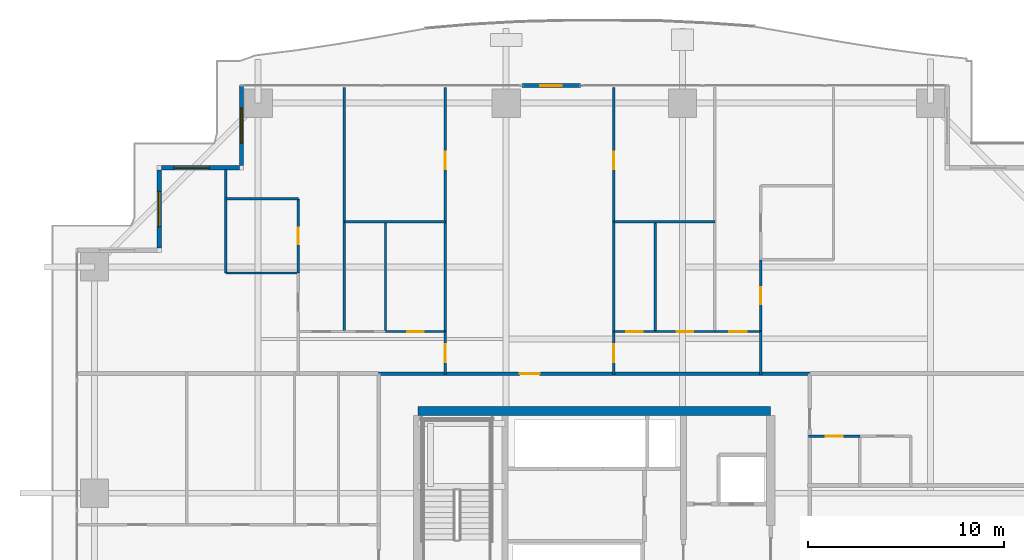
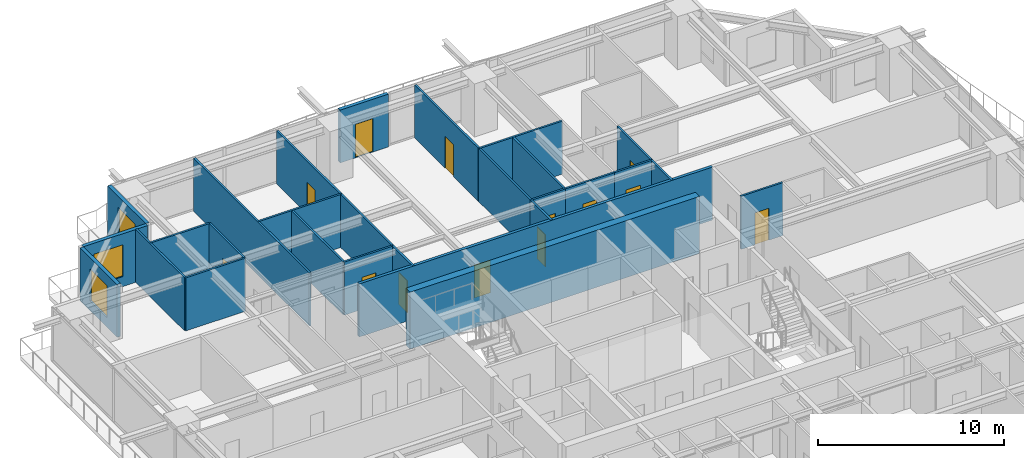
# One storey, part 31 of 38: 28 walls, 13 doors, 3 windows, 16 openings.
"""IFC4 building model written with IfcOpenShell, lengths in metres."""

from ifc_helpers import new_model, si_unit, direction, frame, frame_2d, origin, place, context, subcontext, project, spatial, rectangle, extrude, source, transform, mapped, material, layer, layer_set, type_object, element, fill, save


model = new_model("IFC4")

# Units and contexts
model_context = context("Model", 3, precision=1e-05, world=origin(), true_north=direction((0.0, 1.0)))
body_context = subcontext(model_context, "Body", "Model", "MODEL_VIEW")
ifc_project = project(units=[si_unit("LENGTHUNIT", "METRE"), si_unit("AREAUNIT", "SQUARE_METRE"), si_unit("VOLUMEUNIT", "CUBIC_METRE"), si_unit("PLANEANGLEUNIT", "RADIAN"), si_unit("MASSUNIT", "GRAM", prefix="KILO")], contexts=[model_context])

# Site, building, storey
site_placement = place(None, origin())
site = spatial("IfcSite", under=ifc_project, at=site_placement, CompositionType="ELEMENT")
building_placement = place(site_placement, origin())
building = spatial("IfcBuilding", under=site, at=building_placement, Name="Serunith Strait Residences", CompositionType="ELEMENT")
storey_placement = place(building_placement, frame((0.0, 0.0, 67.949951171875)))
storey = spatial("IfcBuildingStorey", under=building, at=storey_placement, Name="L16", CompositionType="ELEMENT", Elevation=67.949951171875)

# Wall, opening, door
ifc_material_1 = material(Name="Pale-Champagne Aluminium Insulated Panel", Category="aluminium")
ifc_layer_1 = layer(ifc_material_1, 0.219970703125, Name="Pale-Champagne Aluminium Insulated Panel")
ifc_layer_set_1 = layer_set([ifc_layer_1], Name="Pale-Champagne Aluminium Insulated Panel")
wall_type_1 = type_object("IfcWallType", Name="EW-ALUM-220", PredefinedType="ELEMENTEDWALL", material=ifc_layer_set_1)
wall_1_placement = place(storey_placement, frame((31.699951171875, 50.199951171875, 0.0), z_axis=(0.0, 0.0, 1.0), x_axis=(-1.0, 0.0, 0.0)))
wall_1 = element("IfcWall", 1, at=wall_1_placement, inside=storey, type_object=wall_type_1, Name="L16 N Facade Pier Wall", PredefinedType="ELEMENTEDWALL", context=body_context, shape_type="SweptSolid", body=[
    extrude(rectangle(XDim=3.0, YDim=0.219970703125, at=frame_2d((1.5, 0.0))), origin(), (0.0, 0.0, 1.0), 3.47509765625),
])
opening_1_placement = place(wall_1_placement, frame((0.949951171875, 0.0, 0.0)))
opening_1 = element("IfcOpeningElement", 2, at=opening_1_placement, cuts=wall_1, Name="Opening ED-03", PredefinedType="OPENING", context=body_context, shape_type="SweptSolid", body=[
    extrude(rectangle(XDim=1.10009765625, YDim=2.199951171875, at=frame_2d((0.550048828125, 1.10009765625))), frame((0.0, 0.1201171875, 0.0), z_axis=(0.0, -1.0, 0.0), x_axis=(1.0, 0.0, 0.0)), (0.0, 0.0, 1.0), 0.239990234375),
])
ifc_material_2 = material(Name="Thermally-Broken Aluminium Glazed Balcony Door", Category="aluminium")
door_type_1 = type_object("IfcDoorType", Name="ED-BALC-1100", OperationType="NOTDEFINED", PredefinedType="DOOR", material=ifc_material_2)
shared_shape_1 = source(origin(), body_context, "Body", "SweptSolid", [
    extrude(rectangle(XDim=1.10009765625, YDim=2.199951171875, at=frame_2d((0.550048828125, 1.10009765625))), frame((0.0, 0.02490234375, 0.0), z_axis=(0.0, -1.0, 0.0), x_axis=(1.0, 0.0, 0.0)), (0.0, 0.0, 1.0), 0.050048828125),
])
door_1_placement = place(opening_1_placement, origin())
door_1 = element("IfcDoor", 3, at=door_1_placement, inside=storey, type_object=door_type_1, Name="L16 N Vertical-Forest Balcony Door", OperationType="SINGLE_SWING_RIGHT", OverallHeight=2.199951171875, OverallWidth=1.10009765625, PredefinedType="DOOR", context=body_context, shape_type="MappedRepresentation", body=[
    mapped(shared_shape_1, transform((0.0, 0.0, 0.0), scale=1.0)),
])
fill(opening_1, door_1)

# Wall, opening, window
wall_2_placement = place(storey_placement, frame((14.39990234375, 50.199951171875, 0.0), z_axis=(0.0, 0.0, 1.0), x_axis=(0.0, -1.0, 0.0)))
wall_2 = element("IfcWall", 4, at=wall_2_placement, inside=storey, type_object=wall_type_1, Name="L16 Girih Serrated Corner Wall 12", PredefinedType="ELEMENTEDWALL", context=body_context, shape_type="SweptSolid", body=[
    extrude(rectangle(XDim=4.08984375, YDim=0.219970703125, at=frame_2d((2.044921875, 0.0))), origin(), (0.0, 0.0, 1.0), 3.47509765625),
])
opening_2_placement = place(wall_2_placement, frame((1.14501953125, 0.0, 0.64990234375)))
opening_2 = element("IfcOpeningElement", 5, at=opening_2_placement, cuts=wall_2, Name="Opening W-01", PredefinedType="OPENING", context=body_context, shape_type="SweptSolid", body=[
    extrude(rectangle(XDim=1.800048828125, YDim=2.10009765625, at=frame_2d((0.89990234375, 1.050048828125))), frame((0.0, 0.1201171875, 0.0), z_axis=(0.0, -1.0, 0.0), x_axis=(1.0, 0.0, 0.0)), (0.0, 0.0, 1.0), 0.239990234375),
])
ifc_material_3 = material(Name="Ceramic-Fritted Operable Aluminium Window Glass", Category="aluminium")
window_type = type_object("IfcWindowType", Name="WIN-C1", PartitioningType="DOUBLE_PANEL_VERTICAL", PredefinedType="WINDOW", material=ifc_material_3)
shared_shape_2 = source(origin(), body_context, "Body", "SweptSolid", [
    extrude(rectangle(XDim=1.800048828125, YDim=2.10009765625, at=frame_2d((0.89990234375, 1.050048828125))), frame((0.0, 0.030029296875, 0.0), z_axis=(0.0, -1.0, 0.0), x_axis=(1.0, 0.0, 0.0)), (0.0, 0.0, 1.0), 0.06005859375),
])
window_1_placement = place(opening_2_placement, origin())
window_1 = element("IfcWindow", 6, at=window_1_placement, inside=storey, type_object=window_type, Name="L16 Corner Operable Fritted Window 12", OverallHeight=2.10009765625, OverallWidth=1.800048828125, PartitioningType="SINGLE_PANEL", PredefinedType="WINDOW", context=body_context, shape_type="MappedRepresentation", body=[
    mapped(shared_shape_2, transform((0.0, 0.0, 0.0), scale=1.0)),
])
fill(opening_2, window_1)

wall_3_placement = place(storey_placement, frame((14.2900390625, 46.0, 0.0), z_axis=(0.0, 0.0, 1.0), x_axis=(-1.0, 0.0, 0.0)))
wall_3 = element("IfcWall", 7, at=wall_3_placement, inside=storey, type_object=wall_type_1, Name="L16 Girih Serrated Corner Wall 13", PredefinedType="ELEMENTEDWALL", context=body_context, shape_type="SweptSolid", body=[
    extrude(rectangle(XDim=3.97998046875, YDim=0.219970703125, at=frame_2d((1.989990234375, 0.0))), origin(), (0.0, 0.0, 1.0), 3.47509765625),
])
opening_3_placement = place(wall_3_placement, frame((1.52587890625, 0.0, 0.64990234375)))
opening_3 = element("IfcOpeningElement", 8, at=opening_3_placement, cuts=wall_3, Name="Opening W-01", PredefinedType="OPENING", context=body_context, shape_type="SweptSolid", body=[
    extrude(rectangle(XDim=1.800048828125, YDim=2.10009765625, at=frame_2d((0.89990234375, 1.050048828125))), frame((0.0, 0.1201171875, 0.0), z_axis=(0.0, -1.0, 0.0), x_axis=(1.0, 0.0, 0.0)), (0.0, 0.0, 1.0), 0.239990234375),
])
window_2_placement = place(opening_3_placement, origin())
window_2 = element("IfcWindow", 9, at=window_2_placement, inside=storey, type_object=window_type, Name="L16 Corner Operable Fritted Window 13", OverallHeight=2.10009765625, OverallWidth=1.800048828125, PartitioningType="SINGLE_PANEL", PredefinedType="WINDOW", context=body_context, shape_type="MappedRepresentation", body=[
    mapped(shared_shape_2, transform((0.0, 0.0, 0.0), scale=1.0)),
])
fill(opening_3, window_2)

wall_4_placement = place(storey_placement, frame((10.199951171875, 45.889892578125, 0.0), z_axis=(0.0, 0.0, 1.0), x_axis=(0.0, -1.0, 0.0)))
wall_4 = element("IfcWall", 10, at=wall_4_placement, inside=storey, type_object=wall_type_1, Name="L16 Girih Serrated Corner Wall 14", PredefinedType="ELEMENTEDWALL", context=body_context, shape_type="SweptSolid", body=[
    extrude(rectangle(XDim=3.97998046875, YDim=0.219970703125, at=frame_2d((1.989990234375, 0.0))), origin(), (0.0, 0.0, 1.0), 3.47509765625),
])
opening_4_placement = place(wall_4_placement, frame((1.090087890625, 0.0, 0.64990234375)))
opening_4 = element("IfcOpeningElement", 11, at=opening_4_placement, cuts=wall_4, Name="Opening W-01", PredefinedType="OPENING", context=body_context, shape_type="SweptSolid", body=[
    extrude(rectangle(XDim=1.800048828125, YDim=2.10009765625, at=frame_2d((0.89990234375, 1.050048828125))), frame((0.0, 0.1201171875, 0.0), z_axis=(0.0, -1.0, 0.0), x_axis=(1.0, 0.0, 0.0)), (0.0, 0.0, 1.0), 0.239990234375),
])
window_3_placement = place(opening_4_placement, origin())
window_3 = element("IfcWindow", 12, at=window_3_placement, inside=storey, type_object=window_type, Name="L16 Corner Operable Fritted Window 14", OverallHeight=2.10009765625, OverallWidth=1.800048828125, PartitioningType="SINGLE_PANEL", PredefinedType="WINDOW", context=body_context, shape_type="MappedRepresentation", body=[
    mapped(shared_shape_2, transform((0.0, 0.0, 0.0), scale=1.0)),
])
fill(opening_4, window_3)

# Wall, opening, door
ifc_material_4 = material(Name="Fire-rated acoustic gypsum partition")
ifc_layer_2 = layer(ifc_material_4, 0.179931640625, Name="Fire-rated acoustic gypsum partition")
ifc_layer_set_2 = layer_set([ifc_layer_2], Name="Fire-rated acoustic gypsum partition")
wall_type_2 = type_object("IfcWallType", Name="IW-CORR-180", PredefinedType="PARTITIONING", material=ifc_layer_set_2)
wall_5_placement = place(storey_placement, frame((21.402099609375, 35.5, 0.0), z_axis=(0.0, 0.0, 1.0), x_axis=(1.0, 0.0, 0.0)))
wall_5 = element("IfcWall", 13, at=wall_5_placement, inside=storey, type_object=wall_type_2, Name="L16 Partition Wall 025", PredefinedType="PARTITIONING", context=body_context, shape_type="SweptSolid", body=[
    extrude(rectangle(XDim=21.995849609375, YDim=0.179931640625, at=frame_2d((10.998046875, 0.0))), origin(), (0.0, 0.0, 1.0), 3.489990234375),
])
opening_5_placement = place(wall_5_placement, frame((7.201904296875, 0.0, 0.0)))
opening_5 = element("IfcOpeningElement", 14, at=opening_5_placement, cuts=wall_5, Name="Opening D-APT1000", PredefinedType="OPENING", context=body_context, shape_type="SweptSolid", body=[
    extrude(rectangle(XDim=1.0, YDim=2.14990234375, at=frame_2d((0.5, 1.074951171875))), frame((0.0, 0.10009765625, 0.0), z_axis=(0.0, -1.0, 0.0), x_axis=(1.0, 0.0, 0.0)), (0.0, 0.0, 1.0), 0.199951171875),
])
ifc_material_5 = material(Name="Solid timber engineered fire door", Category="wood")
door_type_2 = type_object("IfcDoorType", Name="ID-APT-1000", OperationType="NOTDEFINED", PredefinedType="DOOR", material=ifc_material_5)
shared_shape_3 = source(origin(), body_context, "Body", "SweptSolid", [
    extrude(rectangle(XDim=1.0, YDim=2.14990234375, at=frame_2d((0.5, 1.074951171875))), frame((0.0, 0.02490234375, 0.0), z_axis=(0.0, -1.0, 0.0), x_axis=(1.0, 0.0, 0.0)), (0.0, 0.0, 1.0), 0.050048828125),
])
door_2_placement = place(opening_5_placement, origin())
door_2 = element("IfcDoor", 15, at=door_2_placement, inside=storey, type_object=door_type_2, Name="L16 Unit 05 Entrance Door", OperationType="SINGLE_SWING_RIGHT", OverallHeight=2.14990234375, OverallWidth=1.0, PredefinedType="DOOR", context=body_context, shape_type="MappedRepresentation", body=[
    mapped(shared_shape_3, transform((0.0, 0.0, 0.0), scale=1.0)),
])
fill(opening_5, door_2)

ifc_material_6 = material(Name="Lightweight steel-stud gypsum partition", Category="steel")
ifc_layer_3 = layer(ifc_material_6, 0.1201171875, Name="Lightweight steel-stud gypsum partition")
ifc_layer_set_3 = layer_set([ifc_layer_3], Name="Lightweight steel-stud gypsum partition")
wall_type_3 = type_object("IfcWallType", Name="IW-PART-120", PredefinedType="PARTITIONING", material=ifc_layer_set_3)
wall_6_placement = place(storey_placement, frame((24.800048828125, 37.64990234375, 0.0), z_axis=(0.0, 0.0, 1.0), x_axis=(0.0, -1.0, 0.0)))
wall_6 = element("IfcWall", 16, at=wall_6_placement, inside=storey, type_object=wall_type_3, Name="L16 Partition Wall 066", PredefinedType="PARTITIONING", context=body_context, shape_type="SweptSolid", body=[
    extrude(rectangle(XDim=2.2099609375, YDim=0.1201171875, at=frame_2d((1.10498046875, 0.0))), origin(), (0.0, 0.0, 1.0), 3.489990234375),
])
opening_6_placement = place(wall_6_placement, frame((0.655029296875, 0.0, 0.0)))
opening_6 = element("IfcOpeningElement", 17, at=opening_6_placement, cuts=wall_6, Name="Opening D-RM900", PredefinedType="OPENING", context=body_context, shape_type="SweptSolid", body=[
    extrude(rectangle(XDim=0.89990234375, YDim=2.10009765625, at=frame_2d((0.449951171875, 1.050048828125))), frame((0.0, 0.070068359375, 0.0), z_axis=(0.0, -1.0, 0.0), x_axis=(1.0, 0.0, 0.0)), (0.0, 0.0, 1.0), 0.14013671875),
])
ifc_material_7 = material(Name="Engineered timber flush bedroom door", Category="wood")
door_type_3 = type_object("IfcDoorType", Name="ID-ROOM-900", OperationType="NOTDEFINED", PredefinedType="DOOR", material=ifc_material_7)
shared_shape_4 = source(origin(), body_context, "Body", "SweptSolid", [
    extrude(rectangle(XDim=0.89990234375, YDim=2.10009765625, at=frame_2d((0.449951171875, 1.050048828125))), frame((0.0, 0.02490234375, 0.0), z_axis=(0.0, -1.0, 0.0), x_axis=(1.0, 0.0, 0.0)), (0.0, 0.0, 1.0), 0.050048828125),
])
door_3_placement = place(opening_6_placement, origin())
door_3 = element("IfcDoor", 18, at=door_3_placement, inside=storey, type_object=door_type_3, Name="L16 Hall W 1605 Door", OperationType="SINGLE_SWING_RIGHT", OverallHeight=2.10009765625, OverallWidth=0.89990234375, PredefinedType="DOOR", context=body_context, shape_type="MappedRepresentation", body=[
    mapped(shared_shape_4, transform((0.0, 0.0, 0.0), scale=1.0)),
])
fill(opening_6, door_3)

wall_7_placement = place(storey_placement, frame((24.800048828125, 50.10498046875, 0.0), z_axis=(0.0, 0.0, 1.0), x_axis=(0.0, -1.0, 0.0)))
wall_7 = element("IfcWall", 19, at=wall_7_placement, inside=storey, type_object=wall_type_3, Name="L16 Partition Wall 067", PredefinedType="PARTITIONING", context=body_context, shape_type="SweptSolid", body=[
    extrude(rectangle(XDim=6.85107421875, YDim=0.1201171875, at=frame_2d((3.425537109375, 0.0))), origin(), (0.0, 0.0, 1.0), 3.489990234375),
])
opening_7_placement = place(wall_7_placement, frame((3.27294921875, 0.0, 0.0)))
opening_7 = element("IfcOpeningElement", 20, at=opening_7_placement, cuts=wall_7, Name="Opening D-RM900", PredefinedType="OPENING", context=body_context, shape_type="SweptSolid", body=[
    extrude(rectangle(XDim=0.89990234375, YDim=2.10009765625, at=frame_2d((0.449951171875, 1.050048828125))), frame((0.0, 0.070068359375, 0.0), z_axis=(0.0, -1.0, 0.0), x_axis=(1.0, 0.0, 0.0)), (0.0, 0.0, 1.0), 0.14013671875),
])
door_4_placement = place(opening_7_placement, origin())
door_4 = element("IfcDoor", 21, at=door_4_placement, inside=storey, type_object=door_type_3, Name="L16 Formal Dining Room 1 1605 Door", OperationType="SINGLE_SWING_LEFT", OverallHeight=2.10009765625, OverallWidth=0.89990234375, PredefinedType="DOOR", context=body_context, shape_type="MappedRepresentation", body=[
    mapped(shared_shape_4, transform((0.0, 0.0, 0.0), scale=1.0)),
])
fill(opening_7, door_4)

# Walls
wall_8_placement = place(storey_placement, frame((24.800048828125, 43.251953125, 0.0), z_axis=(0.0, 0.0, 1.0), x_axis=(0.0, -1.0, 0.0)))
element("IfcWall", 22, at=wall_8_placement, inside=storey, type_object=wall_type_3, Name="L16 Partition Wall 068", PredefinedType="PARTITIONING", context=body_context, shape_type="SweptSolid", body=[
    extrude(rectangle(XDim=5.599853515625, YDim=0.1201171875, at=frame_2d((2.7998046875, 0.0))), origin(), (0.0, 0.0, 1.0), 3.489990234375),
])
wall_9_placement = place(storey_placement, frame((19.64990234375, 43.25390625, 0.0), z_axis=(0.0, 0.0, 1.0), x_axis=(1.0, 0.0, 0.0)))
element("IfcWall", 23, at=wall_9_placement, inside=storey, type_object=wall_type_3, Name="L16 Partition Wall 069", PredefinedType="PARTITIONING", context=body_context, shape_type="SweptSolid", body=[
    extrude(rectangle(XDim=5.150146484375, YDim=0.1201171875, at=frame_2d((2.5751953125, 0.0))), origin(), (0.0, 0.0, 1.0), 3.489990234375),
])
wall_10_placement = place(storey_placement, frame((19.64990234375, 50.10498046875, 0.0), z_axis=(0.0, 0.0, 1.0), x_axis=(0.0, -1.0, 0.0)))
element("IfcWall", 24, at=wall_10_placement, inside=storey, type_object=wall_type_3, Name="L16 Partition Wall 070", PredefinedType="PARTITIONING", context=body_context, shape_type="SweptSolid", body=[
    extrude(rectangle(XDim=12.455078125, YDim=0.1201171875, at=frame_2d((6.2275390625, 0.0))), origin(), (0.0, 0.0, 1.0), 3.489990234375),
])
wall_11_placement = place(storey_placement, frame((21.75, 43.25390625, 0.0), z_axis=(0.0, 0.0, 1.0), x_axis=(0.0, -1.0, 0.0)))
element("IfcWall", 25, at=wall_11_placement, inside=storey, type_object=wall_type_3, Name="L16 Partition Wall 071", PredefinedType="PARTITIONING", context=body_context, shape_type="SweptSolid", body=[
    extrude(rectangle(XDim=5.60400390625, YDim=0.1201171875, at=frame_2d((2.802001953125, 0.0))), origin(), (0.0, 0.0, 1.0), 3.489990234375),
])

# Wall, opening, door
wall_12_placement = place(storey_placement, frame((21.751953125, 37.64990234375, 0.0), z_axis=(0.0, 0.0, 1.0), x_axis=(1.0, 0.0, 0.0)))
wall_12 = element("IfcWall", 26, at=wall_12_placement, inside=storey, type_object=wall_type_3, Name="L16 Partition Wall 073", PredefinedType="PARTITIONING", context=body_context, shape_type="SweptSolid", body=[
    extrude(rectangle(XDim=3.048095703125, YDim=0.1201171875, at=frame_2d((1.52392578125, 0.0))), origin(), (0.0, 0.0, 1.0), 3.489990234375),
])
opening_8_placement = place(wall_12_placement, frame((1.09912109375, 0.0, 0.0)))
opening_8 = element("IfcOpeningElement", 27, at=opening_8_placement, cuts=wall_12, Name="Opening D-RM850", PredefinedType="OPENING", context=body_context, shape_type="SweptSolid", body=[
    extrude(rectangle(XDim=0.85009765625, YDim=2.10009765625, at=frame_2d((0.425048828125, 1.050048828125))), frame((0.0, 0.070068359375, 0.0), z_axis=(0.0, -1.0, 0.0), x_axis=(1.0, 0.0, 0.0)), (0.0, 0.0, 1.0), 0.14013671875),
])
ifc_material_8 = material(Name="Engineered timber flush study and kitchen door", Category="wood")
door_type_4 = type_object("IfcDoorType", Name="ID-ROOM-850", OperationType="NOTDEFINED", PredefinedType="DOOR", material=ifc_material_8)
shared_shape_5 = source(origin(), body_context, "Body", "SweptSolid", [
    extrude(rectangle(XDim=0.85009765625, YDim=2.10009765625, at=frame_2d((0.425048828125, 1.050048828125))), frame((0.0, 0.02490234375, 0.0), z_axis=(0.0, -1.0, 0.0), x_axis=(1.0, 0.0, 0.0)), (0.0, 0.0, 1.0), 0.050048828125),
])
door_5_placement = place(opening_8_placement, origin())
door_5 = element("IfcDoor", 28, at=door_5_placement, inside=storey, type_object=door_type_4, Name="L16 Kitchen 1605 Door", OperationType="SINGLE_SWING_LEFT", OverallHeight=2.10009765625, OverallWidth=0.85009765625, PredefinedType="DOOR", context=body_context, shape_type="MappedRepresentation", body=[
    mapped(shared_shape_5, transform((0.0, 0.0, 0.0), scale=1.0)),
])
fill(opening_8, door_5)

# Walls
wall_13_placement = place(storey_placement, frame((13.60009765625, 44.422119140625, 0.0), z_axis=(0.0, 0.0, 1.0), x_axis=(1.0, 0.0, 0.0)))
element("IfcWall", 29, at=wall_13_placement, inside=storey, type_object=wall_type_3, Name="L16 Partition Wall 075", PredefinedType="PARTITIONING", context=body_context, shape_type="SweptSolid", body=[
    extrude(rectangle(XDim=3.699951171875, YDim=0.1201171875, at=frame_2d((1.85009765625, 0.0))), origin(), (0.0, 0.0, 1.0), 3.489990234375),
])
wall_14_placement = place(storey_placement, frame((13.60009765625, 45.905029296875, 0.0), z_axis=(0.0, 0.0, 1.0), x_axis=(0.0, -1.0, 0.0)))
element("IfcWall", 30, at=wall_14_placement, inside=storey, type_object=wall_type_3, Name="L16 Partition Wall 076", PredefinedType="PARTITIONING", context=body_context, shape_type="SweptSolid", body=[
    extrude(rectangle(XDim=5.26708984375, YDim=0.1201171875, at=frame_2d((2.633544921875, 0.0))), origin(), (0.0, 0.0, 1.0), 3.489990234375),
])
wall_15_placement = place(storey_placement, frame((13.60009765625, 40.637939453125, 0.0), z_axis=(0.0, 0.0, 1.0), x_axis=(1.0, 0.0, 0.0)))
element("IfcWall", 31, at=wall_15_placement, inside=storey, type_object=wall_type_3, Name="L16 Partition Wall 077", PredefinedType="PARTITIONING", context=body_context, shape_type="SweptSolid", body=[
    extrude(rectangle(XDim=3.699951171875, YDim=0.1201171875, at=frame_2d((1.85009765625, 0.0))), origin(), (0.0, 0.0, 1.0), 3.489990234375),
])

# Wall, opening, door
wall_16_placement = place(storey_placement, frame((17.300048828125, 44.422119140625, 0.0), z_axis=(0.0, 0.0, 1.0), x_axis=(0.0, -1.0, 0.0)))
wall_16 = element("IfcWall", 32, at=wall_16_placement, inside=storey, type_object=wall_type_3, Name="L16 Partition Wall 078", PredefinedType="PARTITIONING", context=body_context, shape_type="SweptSolid", body=[
    extrude(rectangle(XDim=3.7841796875, YDim=0.1201171875, at=frame_2d((1.89208984375, 0.0))), origin(), (0.0, 0.0, 1.0), 3.489990234375),
])
opening_9_placement = place(wall_16_placement, frame((1.467041015625, 0.0, 0.0)))
opening_9 = element("IfcOpeningElement", 33, at=opening_9_placement, cuts=wall_16, Name="Opening D-BTH850", PredefinedType="OPENING", context=body_context, shape_type="SweptSolid", body=[
    extrude(rectangle(XDim=0.85009765625, YDim=2.10009765625, at=frame_2d((0.425048828125, 1.050048828125))), frame((0.0, 0.070068359375, 0.0), z_axis=(0.0, -1.0, 0.0), x_axis=(1.0, 0.0, 0.0)), (0.0, 0.0, 1.0), 0.14013671875),
])
ifc_material_9 = material(Name="Moisture-resistant timber bathroom door", Category="wood")
door_type_5 = type_object("IfcDoorType", Name="ID-BATH-850", OperationType="NOTDEFINED", PredefinedType="DOOR", material=ifc_material_9)
door_6_placement = place(opening_9_placement, origin())
door_6 = element("IfcDoor", 34, at=door_6_placement, inside=storey, type_object=door_type_5, Name="L16 En-suite Bathroom W 1605 Door", OperationType="SINGLE_SWING_LEFT", OverallHeight=2.10009765625, OverallWidth=0.85009765625, PredefinedType="DOOR", context=body_context, shape_type="MappedRepresentation", body=[
    mapped(shared_shape_5, transform((0.0, 0.0, 0.0), scale=1.0)),
])
fill(opening_9, door_6)

wall_17_placement = place(storey_placement, frame((33.39990234375, 37.64990234375, 0.0), z_axis=(0.0, 0.0, 1.0), x_axis=(0.0, -1.0, 0.0)))
wall_17 = element("IfcWall", 35, at=wall_17_placement, inside=storey, type_object=wall_type_3, Name="L16 Partition Wall 081", PredefinedType="PARTITIONING", context=body_context, shape_type="SweptSolid", body=[
    extrude(rectangle(XDim=2.2099609375, YDim=0.1201171875, at=frame_2d((1.10498046875, 0.0))), origin(), (0.0, 0.0, 1.0), 3.489990234375),
])
opening_10_placement = place(wall_17_placement, frame((0.655029296875, 0.0, 0.0)))
opening_10 = element("IfcOpeningElement", 36, at=opening_10_placement, cuts=wall_17, Name="Opening D-RM900", PredefinedType="OPENING", context=body_context, shape_type="SweptSolid", body=[
    extrude(rectangle(XDim=0.89990234375, YDim=2.10009765625, at=frame_2d((0.449951171875, 1.050048828125))), frame((0.0, 0.070068359375, 0.0), z_axis=(0.0, -1.0, 0.0), x_axis=(1.0, 0.0, 0.0)), (0.0, 0.0, 1.0), 0.14013671875),
])
door_7_placement = place(opening_10_placement, origin())
door_7 = element("IfcDoor", 37, at=door_7_placement, inside=storey, type_object=door_type_3, Name="L16 Hall E 1605 Door", OperationType="SINGLE_SWING_LEFT", OverallHeight=2.10009765625, OverallWidth=0.89990234375, PredefinedType="DOOR", context=body_context, shape_type="MappedRepresentation", body=[
    mapped(shared_shape_4, transform((0.0, 0.0, 0.0), scale=1.0)),
])
fill(opening_10, door_7)

wall_18_placement = place(storey_placement, frame((33.39990234375, 50.10498046875, 0.0), z_axis=(0.0, 0.0, 1.0), x_axis=(0.0, -1.0, 0.0)))
wall_18 = element("IfcWall", 38, at=wall_18_placement, inside=storey, type_object=wall_type_3, Name="L16 Partition Wall 082", PredefinedType="PARTITIONING", context=body_context, shape_type="SweptSolid", body=[
    extrude(rectangle(XDim=6.85107421875, YDim=0.1201171875, at=frame_2d((3.425537109375, 0.0))), origin(), (0.0, 0.0, 1.0), 3.489990234375),
])
opening_11_placement = place(wall_18_placement, frame((3.27294921875, 0.0, 0.0)))
opening_11 = element("IfcOpeningElement", 39, at=opening_11_placement, cuts=wall_18, Name="Opening D-RM900", PredefinedType="OPENING", context=body_context, shape_type="SweptSolid", body=[
    extrude(rectangle(XDim=0.89990234375, YDim=2.10009765625, at=frame_2d((0.449951171875, 1.050048828125))), frame((0.0, 0.070068359375, 0.0), z_axis=(0.0, -1.0, 0.0), x_axis=(1.0, 0.0, 0.0)), (0.0, 0.0, 1.0), 0.14013671875),
])
door_8_placement = place(opening_11_placement, origin())
door_8 = element("IfcDoor", 40, at=door_8_placement, inside=storey, type_object=door_type_3, Name="L16 Formal Dining Room 3 1605 Door", OperationType="SINGLE_SWING_RIGHT", OverallHeight=2.10009765625, OverallWidth=0.89990234375, PredefinedType="DOOR", context=body_context, shape_type="MappedRepresentation", body=[
    mapped(shared_shape_4, transform((0.0, 0.0, 0.0), scale=1.0)),
])
fill(opening_11, door_8)

# Walls
wall_19_placement = place(storey_placement, frame((33.39990234375, 43.251953125, 0.0), z_axis=(0.0, 0.0, 1.0), x_axis=(0.0, -1.0, 0.0)))
element("IfcWall", 41, at=wall_19_placement, inside=storey, type_object=wall_type_3, Name="L16 Partition Wall 083", PredefinedType="PARTITIONING", context=body_context, shape_type="SweptSolid", body=[
    extrude(rectangle(XDim=5.599853515625, YDim=0.1201171875, at=frame_2d((2.7998046875, 0.0))), origin(), (0.0, 0.0, 1.0), 3.489990234375),
])
wall_20_placement = place(storey_placement, frame((33.39990234375, 43.25390625, 0.0), z_axis=(0.0, 0.0, 1.0), x_axis=(1.0, 0.0, 0.0)))
element("IfcWall", 42, at=wall_20_placement, inside=storey, type_object=wall_type_3, Name="L16 Partition Wall 084", PredefinedType="PARTITIONING", context=body_context, shape_type="SweptSolid", body=[
    extrude(rectangle(XDim=5.150146484375, YDim=0.1201171875, at=frame_2d((2.5751953125, 0.0))), origin(), (0.0, 0.0, 1.0), 3.489990234375),
])
wall_21_placement = place(storey_placement, frame((35.5, 43.25390625, 0.0), z_axis=(0.0, 0.0, 1.0), x_axis=(0.0, -1.0, 0.0)))
element("IfcWall", 43, at=wall_21_placement, inside=storey, type_object=wall_type_3, Name="L16 Partition Wall 086", PredefinedType="PARTITIONING", context=body_context, shape_type="SweptSolid", body=[
    extrude(rectangle(XDim=5.60400390625, YDim=0.1201171875, at=frame_2d((2.802001953125, 0.0))), origin(), (0.0, 0.0, 1.0), 3.489990234375),
])

# Wall, opening, door
wall_22_placement = place(storey_placement, frame((33.39990234375, 37.64990234375, 0.0), z_axis=(0.0, 0.0, 1.0), x_axis=(1.0, 0.0, 0.0)))
wall_22 = element("IfcWall", 44, at=wall_22_placement, inside=storey, type_object=wall_type_3, Name="L16 Partition Wall 087", PredefinedType="PARTITIONING", context=body_context, shape_type="SweptSolid", body=[
    extrude(rectangle(XDim=2.10009765625, YDim=0.1201171875, at=frame_2d((1.050048828125, 0.0))), origin(), (0.0, 0.0, 1.0), 3.489990234375),
])
opening_12_placement = place(wall_22_placement, frame((0.625, 0.0, 0.0)))
opening_12 = element("IfcOpeningElement", 45, at=opening_12_placement, cuts=wall_22, Name="Opening D-RM850", PredefinedType="OPENING", context=body_context, shape_type="SweptSolid", body=[
    extrude(rectangle(XDim=0.85009765625, YDim=2.10009765625, at=frame_2d((0.425048828125, 1.050048828125))), frame((0.0, 0.070068359375, 0.0), z_axis=(0.0, -1.0, 0.0), x_axis=(1.0, 0.0, 0.0)), (0.0, 0.0, 1.0), 0.14013671875),
])
door_9_placement = place(opening_12_placement, origin())
door_9 = element("IfcDoor", 46, at=door_9_placement, inside=storey, type_object=door_type_4, Name="L16 Study 1605 Door", OperationType="SINGLE_SWING_LEFT", OverallHeight=2.10009765625, OverallWidth=0.85009765625, PredefinedType="DOOR", context=body_context, shape_type="MappedRepresentation", body=[
    mapped(shared_shape_5, transform((0.0, 0.0, 0.0), scale=1.0)),
])
fill(opening_12, door_9)

wall_23_placement = place(storey_placement, frame((35.501953125, 37.64990234375, 0.0), z_axis=(0.0, 0.0, 1.0), x_axis=(1.0, 0.0, 0.0)))
wall_23 = element("IfcWall", 47, at=wall_23_placement, inside=storey, type_object=wall_type_3, Name="L16 Partition Wall 088", PredefinedType="PARTITIONING", context=body_context, shape_type="SweptSolid", body=[
    extrude(rectangle(XDim=3.048095703125, YDim=0.1201171875, at=frame_2d((1.52392578125, 0.0))), origin(), (0.0, 0.0, 1.0), 3.489990234375),
])
opening_13_placement = place(wall_23_placement, frame((1.09912109375, 0.0, 0.0)))
opening_13 = element("IfcOpeningElement", 48, at=opening_13_placement, cuts=wall_23, Name="Opening D-RM850", PredefinedType="OPENING", context=body_context, shape_type="SweptSolid", body=[
    extrude(rectangle(XDim=0.85009765625, YDim=2.10009765625, at=frame_2d((0.425048828125, 1.050048828125))), frame((0.0, 0.070068359375, 0.0), z_axis=(0.0, -1.0, 0.0), x_axis=(1.0, 0.0, 0.0)), (0.0, 0.0, 1.0), 0.14013671875),
])
door_10_placement = place(opening_13_placement, origin())
door_10 = element("IfcDoor", 49, at=door_10_placement, inside=storey, type_object=door_type_4, Name="L16 Formal Dining Room 1605 Door", OperationType="SINGLE_SWING_RIGHT", OverallHeight=2.10009765625, OverallWidth=0.85009765625, PredefinedType="DOOR", context=body_context, shape_type="MappedRepresentation", body=[
    mapped(shared_shape_5, transform((0.0, 0.0, 0.0), scale=1.0)),
])
fill(opening_13, door_10)

wall_24_placement = place(storey_placement, frame((38.552001953125, 37.64990234375, 0.0), z_axis=(0.0, 0.0, 1.0), x_axis=(1.0, 0.0, 0.0)))
wall_24 = element("IfcWall", 50, at=wall_24_placement, inside=storey, type_object=wall_type_3, Name="L16 Partition Wall 089", PredefinedType="PARTITIONING", context=body_context, shape_type="SweptSolid", body=[
    extrude(rectangle(XDim=2.347900390625, YDim=0.1201171875, at=frame_2d((1.173828125, 0.0))), origin(), (0.0, 0.0, 1.0), 3.489990234375),
])
opening_14_placement = place(wall_24_placement, frame((0.72412109375, 0.0, 0.0)))
opening_14 = element("IfcOpeningElement", 51, at=opening_14_placement, cuts=wall_24, Name="Opening D-RM900", PredefinedType="OPENING", context=body_context, shape_type="SweptSolid", body=[
    extrude(rectangle(XDim=0.89990234375, YDim=2.10009765625, at=frame_2d((0.449951171875, 1.050048828125))), frame((0.0, 0.070068359375, 0.0), z_axis=(0.0, -1.0, 0.0), x_axis=(1.0, 0.0, 0.0)), (0.0, 0.0, 1.0), 0.14013671875),
])
door_11_placement = place(opening_14_placement, origin())
door_11 = element("IfcDoor", 52, at=door_11_placement, inside=storey, type_object=door_type_3, Name="L16 Master Bedroom E 1605 Door", OperationType="SINGLE_SWING_LEFT", OverallHeight=2.10009765625, OverallWidth=0.89990234375, PredefinedType="DOOR", context=body_context, shape_type="MappedRepresentation", body=[
    mapped(shared_shape_4, transform((0.0, 0.0, 0.0), scale=1.0)),
])
fill(opening_14, door_11)

wall_25_placement = place(storey_placement, frame((40.89990234375, 41.304931640625, 0.0), z_axis=(0.0, 0.0, 1.0), x_axis=(0.0, -1.0, 0.0)))
wall_25 = element("IfcWall", 53, at=wall_25_placement, inside=storey, type_object=wall_type_3, Name="L16 Partition Wall 094", PredefinedType="PARTITIONING", context=body_context, shape_type="SweptSolid", body=[
    extrude(rectangle(XDim=3.655029296875, YDim=0.1201171875, at=frame_2d((1.82763671875, 0.0))), origin(), (0.0, 0.0, 1.0), 3.489990234375),
])
opening_15_placement = place(wall_25_placement, frame((1.403076171875, 0.0, 0.0)))
opening_15 = element("IfcOpeningElement", 54, at=opening_15_placement, cuts=wall_25, Name="Opening D-RM850", PredefinedType="OPENING", context=body_context, shape_type="SweptSolid", body=[
    extrude(rectangle(XDim=0.85009765625, YDim=2.10009765625, at=frame_2d((0.425048828125, 1.050048828125))), frame((0.0, 0.070068359375, 0.0), z_axis=(0.0, -1.0, 0.0), x_axis=(1.0, 0.0, 0.0)), (0.0, 0.0, 1.0), 0.14013671875),
])
door_12_placement = place(opening_15_placement, origin())
door_12 = element("IfcDoor", 55, at=door_12_placement, inside=storey, type_object=door_type_4, Name="L16 Wardrobe E 1605 Door", OperationType="SINGLE_SWING_LEFT", OverallHeight=2.10009765625, OverallWidth=0.85009765625, PredefinedType="DOOR", context=body_context, shape_type="MappedRepresentation", body=[
    mapped(shared_shape_5, transform((0.0, 0.0, 0.0), scale=1.0)),
])
fill(opening_15, door_12)

# Wall
wall_26_placement = place(storey_placement, frame((40.89990234375, 37.64794921875, 0.0), z_axis=(0.0, 0.0, 1.0), x_axis=(0.0, -1.0, 0.0)))
element("IfcWall", 56, at=wall_26_placement, inside=storey, type_object=wall_type_3, Name="L16 Partition Wall 095", PredefinedType="PARTITIONING", context=body_context, shape_type="SweptSolid", body=[
    extrude(rectangle(XDim=2.2080078125, YDim=0.1201171875, at=frame_2d((1.10400390625, 0.0))), origin(), (0.0, 0.0, 1.0), 3.489990234375),
])

# Wall, opening, door
wall_27_placement = place(storey_placement, frame((45.947998046875, 32.31005859375, 0.0), z_axis=(0.0, 0.0, 1.0), x_axis=(-1.0, 0.0, 0.0)))
wall_27 = element("IfcWall", 57, at=wall_27_placement, inside=storey, type_object=wall_type_3, Name="L16 Partition Wall 116", PredefinedType="PARTITIONING", context=body_context, shape_type="SweptSolid", body=[
    extrude(rectangle(XDim=2.60791015625, YDim=0.1201171875, at=frame_2d((1.303955078125, 0.0))), origin(), (0.0, 0.0, 1.0), 3.489990234375),
])
opening_16_placement = place(wall_27_placement, frame((0.87890625, 0.0, 0.0)))
opening_16 = element("IfcOpeningElement", 58, at=opening_16_placement, cuts=wall_27, Name="Opening D-BTH850", PredefinedType="OPENING", context=body_context, shape_type="SweptSolid", body=[
    extrude(rectangle(XDim=0.85009765625, YDim=2.10009765625, at=frame_2d((0.425048828125, 1.050048828125))), frame((0.0, 0.070068359375, 0.0), z_axis=(0.0, -1.0, 0.0), x_axis=(1.0, 0.0, 0.0)), (0.0, 0.0, 1.0), 0.14013671875),
])
door_13_placement = place(opening_16_placement, origin())
door_13 = element("IfcDoor", 59, at=door_13_placement, inside=storey, type_object=door_type_5, Name="L16 Bathroom 1610 Door", OperationType="SINGLE_SWING_LEFT", OverallHeight=2.10009765625, OverallWidth=0.85009765625, PredefinedType="DOOR", context=body_context, shape_type="MappedRepresentation", body=[
    mapped(shared_shape_5, transform((0.0, 0.0, 0.0), scale=1.0)),
])
fill(opening_16, door_13)

# Wall
ifc_material_10 = material(Name="Concrete C80/95", Category="concrete")
ifc_layer_4 = layer(ifc_material_10, 0.449951171875, Name="Concrete C80/95")
ifc_layer_set_4 = layer_set([ifc_layer_4], Name="Concrete C80/95")
wall_type_4 = type_object("IfcWallType", Name="SW-450-C80", PredefinedType="SHEAR", material=ifc_layer_set_4)
wall_28_placement = place(storey_placement, frame((41.39990234375, 33.60009765625, -0.260009765625), z_axis=(0.0, 0.0, 1.0), x_axis=(-1.0, 0.0, 0.0)))
element("IfcWall", 60, at=wall_28_placement, inside=storey, type_object=wall_type_4, Name="L16 Core North Shear Wall", PredefinedType="SHEAR", context=body_context, shape_type="SweptSolid", body=[
    extrude(rectangle(XDim=18.0, YDim=0.449951171875, at=frame_2d((9.0, 0.0))), origin(), (0.0, 0.0, 1.0), 3.748046875),
])

save(model, "model.ifc")
